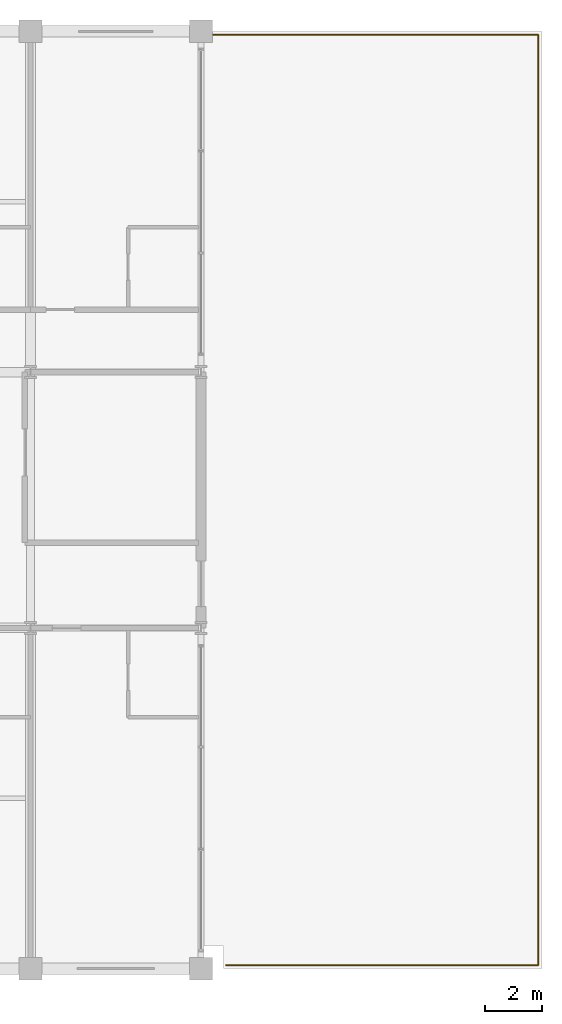
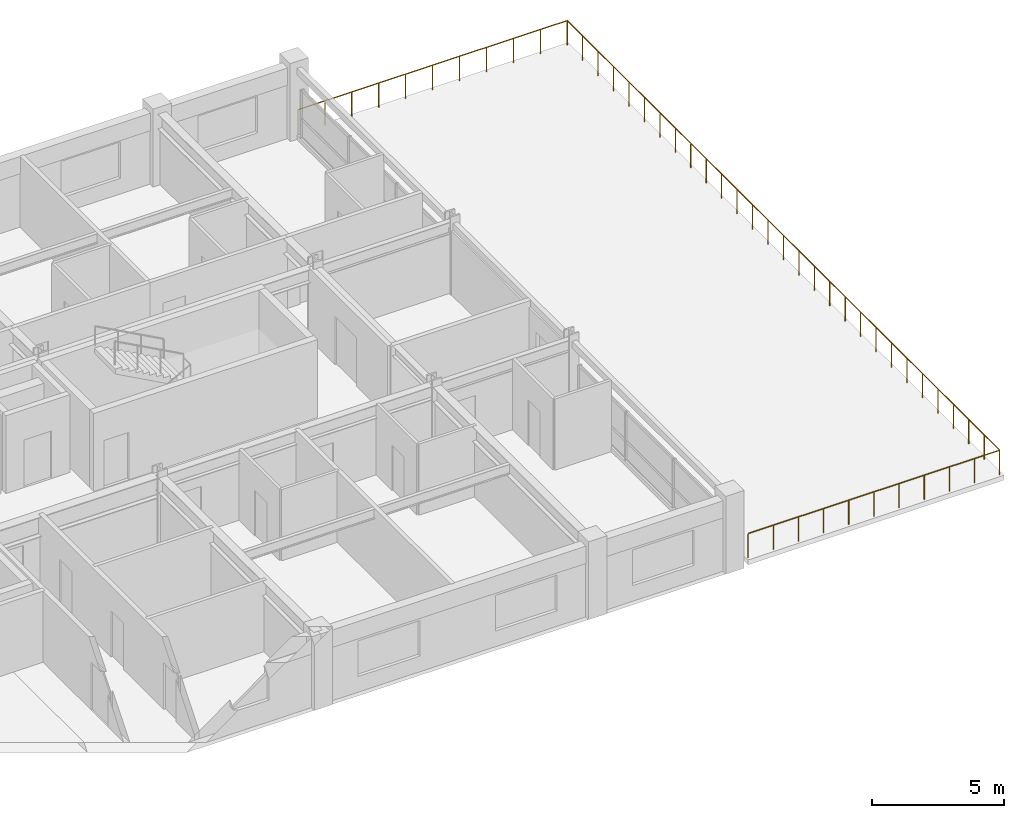
# One storey, part 27 of 27: 1 railing.
"""IFC4 building model written with IfcOpenShell, lengths in metres."""

from ifc_helpers import new_model, si_unit, direction, frame, origin, origin_2d, place, context, subcontext, project, spatial, circle, extrude, material, type_object, element, save


model = new_model("IFC4")

# Units and contexts
model_context = context("Model", 3, precision=1e-05, world=origin(), true_north=direction((0.0, 1.0)))
body_context = subcontext(model_context, "Body", "Model", "MODEL_VIEW")
ifc_project = project(units=[si_unit("LENGTHUNIT", "METRE"), si_unit("AREAUNIT", "SQUARE_METRE"), si_unit("VOLUMEUNIT", "CUBIC_METRE"), si_unit("PLANEANGLEUNIT", "RADIAN"), si_unit("MASSUNIT", "GRAM", prefix="KILO")], contexts=[model_context])

# Site, building, storey
site_placement = place(None, origin())
site = spatial("IfcSite", under=ifc_project, at=site_placement, CompositionType="ELEMENT")
building_placement = place(site_placement, origin())
building = spatial("IfcBuilding", under=site, at=building_placement, Name="Kaldorvane Square Convention Centre", CompositionType="ELEMENT")
storey_placement = place(building_placement, frame((0.0, 0.0, 38.399993896484375)))
storey = spatial("IfcBuildingStorey", under=building, at=storey_placement, Name="L08", CompositionType="ELEMENT", Elevation=38.399993896484375)

# Railing
ifc_material = material(Name="Architectural Painted Steel", Category="steel")
railing_type = type_object("IfcRailingType", Name="RL-TERR-1150", PredefinedType="BALUSTRADE", material=ifc_material)
railing_placement = place(storey_placement, frame((84.8800048828125, 84.1199951171875, 0.0)))
element("IfcRailing", 1, at=railing_placement, inside=storey, type_object=railing_type, Name="L08 East Setback Sky Terrace Guard", PredefinedType="BALUSTRADE", context=body_context, shape_type="SweptSolid", body=[
    extrude(circle(Radius=0.0240020751953125, at=origin_2d()), frame((0.0, 0.0, 1.1259918212890625), z_axis=(1.0, 0.0, 0.0), x_axis=(0.0, 1.0, 0.0)), (0.0, 0.0, 1.0), 11.0),
    extrude(circle(Radius=0.0240020751953125, at=origin_2d()), frame((11.0, 0.0, 1.1259918212890625), z_axis=(0.0, 1.0, 0.0), x_axis=(-1.0, 0.0, 0.0)), (0.0, 0.0, 1.0), 32.760009765625),
    extrude(circle(Radius=0.0240020751953125, at=origin_2d()), frame((11.0, 32.760009765625, 1.1259918212890625), z_axis=(-1.0, 0.0, 0.0), x_axis=(0.0, -1.0, 0.0)), (0.0, 0.0, 1.0), 11.779998779296875),
    extrude(circle(Radius=0.02099609375, at=origin_2d()), origin(), (0.0, 0.0, 1.0), 1.10198974609375),
    extrude(circle(Radius=0.02099609375, at=origin_2d()), frame((1.100006103515625, 0.0, 0.0)), (0.0, 0.0, 1.0), 1.10198974609375),
    extrude(circle(Radius=0.02099609375, at=origin_2d()), frame((2.1999969482421875, 0.0, 0.0)), (0.0, 0.0, 1.0), 1.10198974609375),
    extrude(circle(Radius=0.02099609375, at=origin_2d()), frame((3.3000030517578125, 0.0, 0.0)), (0.0, 0.0, 1.0), 1.10198974609375),
    extrude(circle(Radius=0.02099609375, at=origin_2d()), frame((4.399993896484375, 0.0, 0.0)), (0.0, 0.0, 1.0), 1.10198974609375),
    extrude(circle(Radius=0.02099609375, at=origin_2d()), frame((5.5, 0.0, 0.0)), (0.0, 0.0, 1.0), 1.10198974609375),
    extrude(circle(Radius=0.02099609375, at=origin_2d()), frame((6.600006103515625, 0.0, 0.0)), (0.0, 0.0, 1.0), 1.10198974609375),
    extrude(circle(Radius=0.02099609375, at=origin_2d()), frame((7.6999969482421875, 0.0, 0.0)), (0.0, 0.0, 1.0), 1.10198974609375),
    extrude(circle(Radius=0.02099609375, at=origin_2d()), frame((8.800003051757812, 0.0, 0.0)), (0.0, 0.0, 1.0), 1.10198974609375),
    extrude(circle(Radius=0.02099609375, at=origin_2d()), frame((9.899993896484375, 0.0, 0.0)), (0.0, 0.0, 1.0), 1.10198974609375),
    extrude(circle(Radius=0.02099609375, at=origin_2d()), frame((11.0, 0.0, 0.0)), (0.0, 0.0, 1.0), 1.10198974609375),
    extrude(circle(Radius=0.02099609375, at=origin_2d()), frame((11.0, 1.1699981689453125, 0.0)), (0.0, 0.0, 1.0), 1.10198974609375),
    extrude(circle(Radius=0.02099609375, at=origin_2d()), frame((11.0, 2.339996337890625, 0.0)), (0.0, 0.0, 1.0), 1.10198974609375),
    extrude(circle(Radius=0.02099609375, at=origin_2d()), frame((11.0, 3.5099945068359375, 0.0)), (0.0, 0.0, 1.0), 1.10198974609375),
    extrude(circle(Radius=0.02099609375, at=origin_2d()), frame((11.0, 4.6800079345703125, 0.0)), (0.0, 0.0, 1.0), 1.10198974609375),
    extrude(circle(Radius=0.02099609375, at=origin_2d()), frame((11.0, 5.850006103515625, 0.0)), (0.0, 0.0, 1.0), 1.10198974609375),
    extrude(circle(Radius=0.02099609375, at=origin_2d()), frame((11.0, 7.0200042724609375, 0.0)), (0.0, 0.0, 1.0), 1.10198974609375),
    extrude(circle(Radius=0.02099609375, at=origin_2d()), frame((11.0, 8.19000244140625, 0.0)), (0.0, 0.0, 1.0), 1.10198974609375),
    extrude(circle(Radius=0.02099609375, at=origin_2d()), frame((11.0, 9.360000610351562, 0.0)), (0.0, 0.0, 1.0), 1.10198974609375),
    extrude(circle(Radius=0.02099609375, at=origin_2d()), frame((11.0, 10.529998779296875, 0.0)), (0.0, 0.0, 1.0), 1.10198974609375),
    extrude(circle(Radius=0.02099609375, at=origin_2d()), frame((11.0, 11.699996948242188, 0.0)), (0.0, 0.0, 1.0), 1.10198974609375),
    extrude(circle(Radius=0.02099609375, at=origin_2d()), frame((11.0, 12.870010375976562, 0.0)), (0.0, 0.0, 1.0), 1.10198974609375),
    extrude(circle(Radius=0.02099609375, at=origin_2d()), frame((11.0, 14.040008544921875, 0.0)), (0.0, 0.0, 1.0), 1.10198974609375),
    extrude(circle(Radius=0.02099609375, at=origin_2d()), frame((11.0, 15.210006713867188, 0.0)), (0.0, 0.0, 1.0), 1.10198974609375),
    extrude(circle(Radius=0.02099609375, at=origin_2d()), frame((11.0, 16.3800048828125, 0.0)), (0.0, 0.0, 1.0), 1.10198974609375),
    extrude(circle(Radius=0.02099609375, at=origin_2d()), frame((11.0, 17.550003051757812, 0.0)), (0.0, 0.0, 1.0), 1.10198974609375),
    extrude(circle(Radius=0.02099609375, at=origin_2d()), frame((11.0, 18.720001220703125, 0.0)), (0.0, 0.0, 1.0), 1.10198974609375),
    extrude(circle(Radius=0.02099609375, at=origin_2d()), frame((11.0, 19.889999389648438, 0.0)), (0.0, 0.0, 1.0), 1.10198974609375),
    extrude(circle(Radius=0.02099609375, at=origin_2d()), frame((11.0, 21.060012817382812, 0.0)), (0.0, 0.0, 1.0), 1.10198974609375),
    extrude(circle(Radius=0.02099609375, at=origin_2d()), frame((11.0, 22.230010986328125, 0.0)), (0.0, 0.0, 1.0), 1.10198974609375),
    extrude(circle(Radius=0.02099609375, at=origin_2d()), frame((11.0, 23.400009155273438, 0.0)), (0.0, 0.0, 1.0), 1.10198974609375),
    extrude(circle(Radius=0.02099609375, at=origin_2d()), frame((11.0, 24.57000732421875, 0.0)), (0.0, 0.0, 1.0), 1.10198974609375),
    extrude(circle(Radius=0.02099609375, at=origin_2d()), frame((11.0, 25.740005493164062, 0.0)), (0.0, 0.0, 1.0), 1.10198974609375),
    extrude(circle(Radius=0.02099609375, at=origin_2d()), frame((11.0, 26.910003662109375, 0.0)), (0.0, 0.0, 1.0), 1.10198974609375),
    extrude(circle(Radius=0.02099609375, at=origin_2d()), frame((11.0, 28.080001831054688, 0.0)), (0.0, 0.0, 1.0), 1.10198974609375),
    extrude(circle(Radius=0.02099609375, at=origin_2d()), frame((11.0, 29.250015258789062, 0.0)), (0.0, 0.0, 1.0), 1.10198974609375),
    extrude(circle(Radius=0.02099609375, at=origin_2d()), frame((11.0, 30.420013427734375, 0.0)), (0.0, 0.0, 1.0), 1.10198974609375),
    extrude(circle(Radius=0.02099609375, at=origin_2d()), frame((11.0, 31.590011596679688, 0.0)), (0.0, 0.0, 1.0), 1.10198974609375),
    extrude(circle(Radius=0.02099609375, at=origin_2d()), frame((11.0, 32.760009765625, 0.0)), (0.0, 0.0, 1.0), 1.10198974609375),
    extrude(circle(Radius=0.02099609375, at=origin_2d()), frame((9.822006225585938, 32.760009765625, 0.0)), (0.0, 0.0, 1.0), 1.10198974609375),
    extrude(circle(Radius=0.02099609375, at=origin_2d()), frame((8.643997192382812, 32.760009765625, 0.0)), (0.0, 0.0, 1.0), 1.10198974609375),
    extrude(circle(Radius=0.02099609375, at=origin_2d()), frame((7.46600341796875, 32.760009765625, 0.0)), (0.0, 0.0, 1.0), 1.10198974609375),
    extrude(circle(Radius=0.02099609375, at=origin_2d()), frame((6.287994384765625, 32.760009765625, 0.0)), (0.0, 0.0, 1.0), 1.10198974609375),
    extrude(circle(Radius=0.02099609375, at=origin_2d()), frame((5.1100006103515625, 32.760009765625, 0.0)), (0.0, 0.0, 1.0), 1.10198974609375),
    extrude(circle(Radius=0.02099609375, at=origin_2d()), frame((3.9320068359375, 32.760009765625, 0.0)), (0.0, 0.0, 1.0), 1.10198974609375),
    extrude(circle(Radius=0.02099609375, at=origin_2d()), frame((2.753997802734375, 32.760009765625, 0.0)), (0.0, 0.0, 1.0), 1.10198974609375),
    extrude(circle(Radius=0.02099609375, at=origin_2d()), frame((1.5760040283203125, 32.760009765625, 0.0)), (0.0, 0.0, 1.0), 1.10198974609375),
    extrude(circle(Radius=0.02099609375, at=origin_2d()), frame((0.3979949951171875, 32.760009765625, 0.0)), (0.0, 0.0, 1.0), 1.10198974609375),
    extrude(circle(Radius=0.02099609375, at=origin_2d()), frame((-0.779998779296875, 32.760009765625, 0.0)), (0.0, 0.0, 1.0), 1.10198974609375),
])

save(model, "model.ifc")
